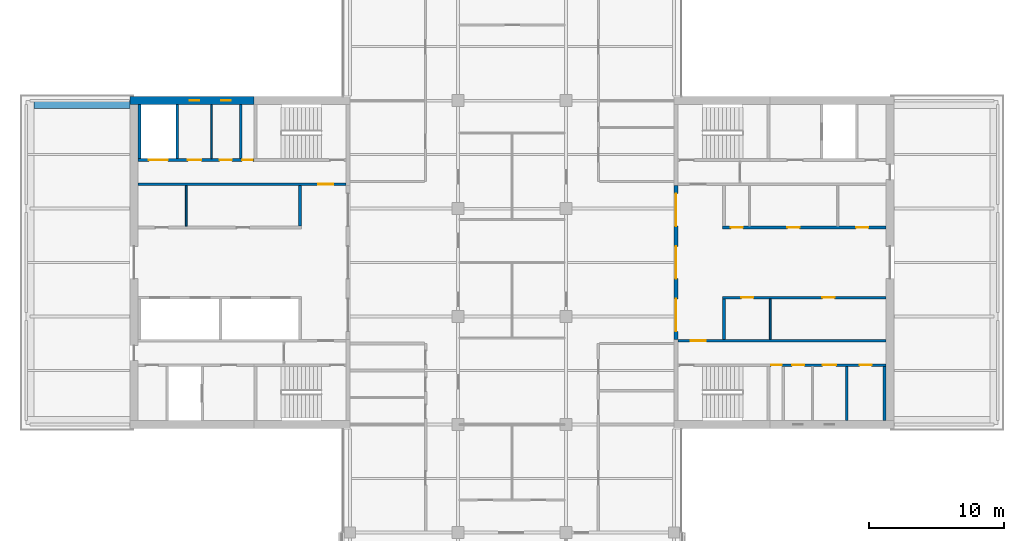
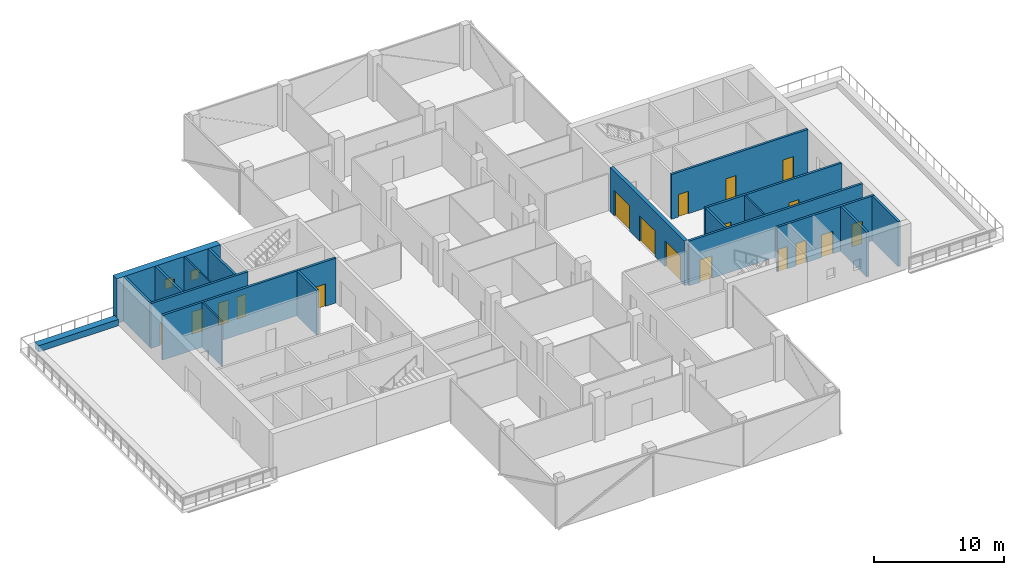
# One storey, part 13 of 18: 19 walls, 18 doors, 2 windows, 20 openings.
"""IFC4 building model written with IfcOpenShell, lengths in metres."""

from ifc_helpers import new_model, si_unit, direction, frame, frame_2d, origin, place, context, subcontext, project, spatial, rectangle, extrude, material, layer, layer_set, constituent, constituent_set, type_object, element, fill, save


model = new_model("IFC4")

# Units and contexts
model_context = context("Model", 3, precision=1e-05, world=origin(), true_north=direction((0.0, 1.0)))
body_context = subcontext(model_context, "Body", "Model", "MODEL_VIEW")
ifc_project = project(units=[si_unit("LENGTHUNIT", "METRE"), si_unit("AREAUNIT", "SQUARE_METRE"), si_unit("VOLUMEUNIT", "CUBIC_METRE"), si_unit("PLANEANGLEUNIT", "RADIAN"), si_unit("MASSUNIT", "GRAM", prefix="KILO")], contexts=[model_context])

# Site, building, storey
site_placement = place(None, origin())
site = spatial("IfcSite", under=ifc_project, at=site_placement, CompositionType="ELEMENT")
building_placement = place(site_placement, origin())
building = spatial("IfcBuilding", under=site, at=building_placement, Name="Crosswind Convention Tower", CompositionType="ELEMENT")
storey_placement = place(building_placement, frame((0.0, 0.0, 178.89990234375)))
storey = spatial("IfcBuildingStorey", under=building, at=storey_placement, Name="L37", CompositionType="ELEMENT", Elevation=178.89990234375)

# Wall
ifc_material_1 = material(Name="Concrete blockwork", Category="masonry")
ifc_layer_1 = layer(ifc_material_1, 0.199951171875)
ifc_layer_set_1 = layer_set([ifc_layer_1], Name="Blockwork partition wall 200")
wall_type_1 = type_object("IfcWallType", Name="Blockwork partition wall 200", PredefinedType="PARTITIONING", material=ifc_layer_set_1)
wall_1_placement = place(storey_placement, frame((104.89990234375, 111.699951171875, 0.0), z_axis=(0.0, 0.0, 1.0), x_axis=(0.0, -1.0, 0.0)))
element("IfcWall", 1, at=wall_1_placement, inside=storey, type_object=wall_type_1, Name="Wall MRSE W L37", PredefinedType="PARTITIONING", context=body_context, shape_type="SweptSolid", body=[
    extrude(rectangle(XDim=4.0, YDim=0.199951171875, at=frame_2d((2.0, 0.0))), origin(), (0.0, 0.0, 1.0), 4.2001953125),
])

# Wall, openings, doors
ifc_material_2 = material(Name="Concrete C50/60", Category="concrete")
ifc_layer_2 = layer(ifc_material_2, 0.300048828125)
ifc_layer_set_2 = layer_set([ifc_layer_2], Name="Concrete C50/60")
wall_type_2 = type_object("IfcWallType", Name="Concrete inner core wall 300", PredefinedType="SHEAR", material=ifc_layer_set_2)
wall_2_placement = place(storey_placement, frame((137.14990234375, 94.300048828125, 0.0), z_axis=(0.0, 0.0, 1.0), x_axis=(0.0, 1.0, 0.0)))
wall_2 = element("IfcWall", 2, at=wall_2_placement, inside=storey, type_object=wall_type_2, Name="Wall SCR E L37", PredefinedType="SHEAR", context=body_context, shape_type="SweptSolid", body=[
    extrude(rectangle(XDim=11.39990234375, YDim=0.300048828125, at=frame_2d((5.699951171875, 0.0))), origin(), (0.0, 0.0, 1.0), 4.2001953125),
])
opening_1_placement = place(wall_2_placement, frame((0.60009765625, 0.0, 0.0)))
opening_1 = element("IfcOpeningElement", 3, at=opening_1_placement, cuts=wall_2, Name="Opening D100", PredefinedType="OPENING", context=body_context, shape_type="SweptSolid", body=[
    extrude(rectangle(XDim=2.39990234375, YDim=2.39990234375, at=frame_2d((1.199951171875, 1.199951171875))), frame((0.0, 0.159912109375, 0.0), z_axis=(0.0, -1.0, 0.0), x_axis=(1.0, 0.0, 0.0)), (0.0, 0.0, 1.0), 0.320068359375),
])
opening_2_placement = place(wall_2_placement, frame((4.5, 0.0, 0.0)))
opening_2 = element("IfcOpeningElement", 4, at=opening_2_placement, cuts=wall_2, Name="Opening D100", PredefinedType="OPENING", context=body_context, shape_type="SweptSolid", body=[
    extrude(rectangle(XDim=2.39990234375, YDim=2.39990234375, at=frame_2d((1.199951171875, 1.199951171875))), frame((0.0, 0.159912109375, 0.0), z_axis=(0.0, -1.0, 0.0), x_axis=(1.0, 0.0, 0.0)), (0.0, 0.0, 1.0), 0.320068359375),
])
opening_3_placement = place(wall_2_placement, frame((8.39990234375, 0.0, 0.0)))
opening_3 = element("IfcOpeningElement", 5, at=opening_3_placement, cuts=wall_2, Name="Opening D100", PredefinedType="OPENING", context=body_context, shape_type="SweptSolid", body=[
    extrude(rectangle(XDim=2.39990234375, YDim=2.39990234375, at=frame_2d((1.199951171875, 1.199951171875))), frame((0.0, 0.159912109375, 0.0), z_axis=(0.0, -1.0, 0.0), x_axis=(1.0, 0.0, 0.0)), (0.0, 0.0, 1.0), 0.320068359375),
])
ifc_material_3 = material(Name="Steel fire door with glazed vision panels", Category="steel")
door_type_1 = type_object("IfcDoorType", Name="Fire-rated double door 2400x2400", OperationType="DOUBLE_DOOR_SINGLE_SWING", PredefinedType="DOOR", material=ifc_material_3)
door_1_placement = place(opening_1_placement, origin())
door_1 = element("IfcDoor", 6, at=door_1_placement, inside=storey, type_object=door_type_1, Name="Lobby door 1 L37", ObjectType="D100", OperationType="DOUBLE_DOOR_SINGLE_SWING", OverallHeight=2.39990234375, OverallWidth=2.39990234375, PredefinedType="DOOR", context=body_context, shape_type="SweptSolid", body=[
    extrude(rectangle(XDim=2.39990234375, YDim=2.39990234375, at=frame_2d((1.199951171875, 1.199951171875))), frame((0.0, 0.02490234375, 0.0), z_axis=(0.0, -1.0, 0.0), x_axis=(1.0, 0.0, 0.0)), (0.0, 0.0, 1.0), 0.050048828125),
])
fill(opening_1, door_1)
door_2_placement = place(opening_2_placement, origin())
door_2 = element("IfcDoor", 7, at=door_2_placement, inside=storey, type_object=door_type_1, Name="Lobby door 2 L37", ObjectType="D100", OperationType="DOUBLE_DOOR_SINGLE_SWING", OverallHeight=2.39990234375, OverallWidth=2.39990234375, PredefinedType="DOOR", context=body_context, shape_type="SweptSolid", body=[
    extrude(rectangle(XDim=2.39990234375, YDim=2.39990234375, at=frame_2d((1.199951171875, 1.199951171875))), frame((0.0, 0.02490234375, 0.0), z_axis=(0.0, -1.0, 0.0), x_axis=(1.0, 0.0, 0.0)), (0.0, 0.0, 1.0), 0.050048828125),
])
fill(opening_2, door_2)
door_3_placement = place(opening_3_placement, origin())
door_3 = element("IfcDoor", 8, at=door_3_placement, inside=storey, type_object=door_type_1, Name="Lobby door 3 L37", ObjectType="D100", OperationType="DOUBLE_DOOR_SINGLE_SWING", OverallHeight=2.39990234375, OverallWidth=2.39990234375, PredefinedType="DOOR", context=body_context, shape_type="SweptSolid", body=[
    extrude(rectangle(XDim=2.39990234375, YDim=2.39990234375, at=frame_2d((1.199951171875, 1.199951171875))), frame((0.0, 0.02490234375, 0.0), z_axis=(0.0, -1.0, 0.0), x_axis=(1.0, 0.0, 0.0)), (0.0, 0.0, 1.0), 0.050048828125),
])
fill(opening_3, door_3)

ifc_layer_3 = layer(ifc_material_2, 0.199951171875)
ifc_layer_set_3 = layer_set([ifc_layer_3], Name="Concrete C50/60")
wall_type_3 = type_object("IfcWallType", Name="Concrete shaft and stair wall 200", PredefinedType="SHEAR", material=ifc_layer_set_3)
wall_3_placement = place(storey_placement, frame((140.60009765625, 102.60009765625, 0.0), z_axis=(0.0, 0.0, 1.0), x_axis=(1.0, 0.0, 0.0)))
wall_3 = element("IfcWall", 9, at=wall_3_placement, inside=storey, type_object=wall_type_3, Name="Wall RPFRONT E L37", PredefinedType="SHEAR", context=body_context, shape_type="SweptSolid", body=[
    extrude(rectangle(XDim=12.099853515625, YDim=0.199951171875, at=frame_2d((6.0498046875, 0.0))), origin(), (0.0, 0.0, 1.0), 4.2001953125),
])
opening_4_placement = place(wall_3_placement, frame((0.611328125, 0.0, 0.0)))
opening_4 = element("IfcOpeningElement", 10, at=opening_4_placement, cuts=wall_3, Name="Opening D106", PredefinedType="OPENING", context=body_context, shape_type="SweptSolid", body=[
    extrude(rectangle(XDim=0.89990234375, YDim=2.10009765625, at=frame_2d((0.449951171875, 1.050048828125))), frame((0.0, 0.10986328125, 0.0), z_axis=(0.0, -1.0, 0.0), x_axis=(1.0, 0.0, 0.0)), (0.0, 0.0, 1.0), 0.219970703125),
])
opening_5_placement = place(wall_3_placement, frame((4.8076171875, 0.0, 0.0)))
opening_5 = element("IfcOpeningElement", 11, at=opening_5_placement, cuts=wall_3, Name="Opening D106", PredefinedType="OPENING", context=body_context, shape_type="SweptSolid", body=[
    extrude(rectangle(XDim=0.89990234375, YDim=2.10009765625, at=frame_2d((0.449951171875, 1.050048828125))), frame((0.0, 0.10986328125, 0.0), z_axis=(0.0, -1.0, 0.0), x_axis=(1.0, 0.0, 0.0)), (0.0, 0.0, 1.0), 0.219970703125),
])
opening_6_placement = place(wall_3_placement, frame((9.896240234375, 0.0, 0.0)))
opening_6 = element("IfcOpeningElement", 12, at=opening_6_placement, cuts=wall_3, Name="Opening D106", PredefinedType="OPENING", context=body_context, shape_type="SweptSolid", body=[
    extrude(rectangle(XDim=0.89990234375, YDim=2.10009765625, at=frame_2d((0.449951171875, 1.050048828125))), frame((0.0, 0.10986328125, 0.0), z_axis=(0.0, -1.0, 0.0), x_axis=(1.0, 0.0, 0.0)), (0.0, 0.0, 1.0), 0.219970703125),
])
ifc_material_4 = material(Name="Timber door", Category="wood")
door_type_2 = type_object("IfcDoorType", Name="Single leaf door 900x2100", OperationType="NOTDEFINED", PredefinedType="DOOR", material=ifc_material_4)
door_4_placement = place(opening_4_placement, origin())
door_4 = element("IfcDoor", 13, at=door_4_placement, inside=storey, type_object=door_type_2, Name="Door to tenant services room L37", ObjectType="D106", OperationType="SINGLE_SWING_RIGHT", OverallHeight=2.10009765625, OverallWidth=0.89990234375, PredefinedType="DOOR", context=body_context, shape_type="SweptSolid", body=[
    extrude(rectangle(XDim=0.89990234375, YDim=2.10009765625, at=frame_2d((0.449951171875, 1.050048828125))), frame((0.0, 0.02490234375, 0.0), z_axis=(0.0, -1.0, 0.0), x_axis=(1.0, 0.0, 0.0)), (0.0, 0.0, 1.0), 0.050048828125),
])
fill(opening_4, door_4)
door_5_placement = place(opening_5_placement, origin())
door_5 = element("IfcDoor", 14, at=door_5_placement, inside=storey, type_object=door_type_2, Name="Door to copy and print room L37", ObjectType="D106", OperationType="SINGLE_SWING_RIGHT", OverallHeight=2.10009765625, OverallWidth=0.89990234375, PredefinedType="DOOR", context=body_context, shape_type="SweptSolid", body=[
    extrude(rectangle(XDim=0.89990234375, YDim=2.10009765625, at=frame_2d((0.449951171875, 1.050048828125))), frame((0.0, 0.02490234375, 0.0), z_axis=(0.0, -1.0, 0.0), x_axis=(1.0, 0.0, 0.0)), (0.0, 0.0, 1.0), 0.050048828125),
])
fill(opening_5, door_5)
door_6_placement = place(opening_6_placement, origin())
door_6 = element("IfcDoor", 15, at=door_6_placement, inside=storey, type_object=door_type_2, Name="Door to meeting room L37", ObjectType="D106", OperationType="SINGLE_SWING_RIGHT", OverallHeight=2.10009765625, OverallWidth=0.89990234375, PredefinedType="DOOR", context=body_context, shape_type="SweptSolid", body=[
    extrude(rectangle(XDim=0.89990234375, YDim=2.10009765625, at=frame_2d((0.449951171875, 1.050048828125))), frame((0.0, 0.02490234375, 0.0), z_axis=(0.0, -1.0, 0.0), x_axis=(1.0, 0.0, 0.0)), (0.0, 0.0, 1.0), 0.050048828125),
])
fill(opening_6, door_6)

# Wall
wall_4_placement = place(storey_placement, frame((140.699951171875, 94.300048828125, 0.0), z_axis=(0.0, 0.0, 1.0), x_axis=(0.0, 1.0, 0.0)))
element("IfcWall", 16, at=wall_4_placement, inside=storey, type_object=wall_type_3, Name="Wall RMEND E L37", PredefinedType="SHEAR", context=body_context, shape_type="SweptSolid", body=[
    extrude(rectangle(XDim=3.0, YDim=0.199951171875, at=frame_2d((1.5, 0.0))), origin(), (0.0, 0.0, 1.0), 4.2001953125),
])

# Wall, openings, doors
wall_5_placement = place(storey_placement, frame((140.60009765625, 97.39990234375, 0.0), z_axis=(0.0, 0.0, 1.0), x_axis=(1.0, 0.0, 0.0)))
wall_5 = element("IfcWall", 17, at=wall_5_placement, inside=storey, type_object=wall_type_3, Name="Wall RMFRONT E L37", PredefinedType="SHEAR", context=body_context, shape_type="SweptSolid", body=[
    extrude(rectangle(XDim=12.099853515625, YDim=0.199951171875, at=frame_2d((6.0498046875, 0.0))), origin(), (0.0, 0.0, 1.0), 4.2001953125),
])
opening_7_placement = place(wall_5_placement, frame((1.384765625, 0.0, 0.0)))
opening_7 = element("IfcOpeningElement", 18, at=opening_7_placement, cuts=wall_5, Name="Opening D106", PredefinedType="OPENING", context=body_context, shape_type="SweptSolid", body=[
    extrude(rectangle(XDim=0.89990234375, YDim=2.10009765625, at=frame_2d((0.449951171875, 1.050048828125))), frame((0.0, 0.10986328125, 0.0), z_axis=(0.0, -1.0, 0.0), x_axis=(1.0, 0.0, 0.0)), (0.0, 0.0, 1.0), 0.219970703125),
])
opening_8_placement = place(wall_5_placement, frame((7.397216796875, 0.0, 0.0)))
opening_8 = element("IfcOpeningElement", 19, at=opening_8_placement, cuts=wall_5, Name="Opening D106", PredefinedType="OPENING", context=body_context, shape_type="SweptSolid", body=[
    extrude(rectangle(XDim=0.89990234375, YDim=2.10009765625, at=frame_2d((0.449951171875, 1.050048828125))), frame((0.0, 0.10986328125, 0.0), z_axis=(0.0, -1.0, 0.0), x_axis=(1.0, 0.0, 0.0)), (0.0, 0.0, 1.0), 0.219970703125),
])
door_7_placement = place(opening_7_placement, frame((0.89990234375, 0.0, 0.0), z_axis=(0.0, 0.0, 1.0), x_axis=(-1.0, 0.0, 0.0)))
door_7 = element("IfcDoor", 20, at=door_7_placement, inside=storey, type_object=door_type_2, Name="Door to copy and print room L37", ObjectType="D106", OperationType="SINGLE_SWING_LEFT", OverallHeight=2.10009765625, OverallWidth=0.89990234375, PredefinedType="DOOR", context=body_context, shape_type="SweptSolid", body=[
    extrude(rectangle(XDim=0.89990234375, YDim=2.10009765625, at=frame_2d((0.449951171875, 1.050048828125))), frame((0.0, 0.02490234375, 0.0), z_axis=(0.0, -1.0, 0.0), x_axis=(1.0, 0.0, 0.0)), (0.0, 0.0, 1.0), 0.050048828125),
])
fill(opening_7, door_7)
door_8_placement = place(opening_8_placement, frame((0.89990234375, 0.0, 0.0), z_axis=(0.0, 0.0, 1.0), x_axis=(-1.0, 0.0, 0.0)))
door_8 = element("IfcDoor", 21, at=door_8_placement, inside=storey, type_object=door_type_2, Name="Door to meeting room L37", ObjectType="D106", OperationType="SINGLE_SWING_LEFT", OverallHeight=2.10009765625, OverallWidth=0.89990234375, PredefinedType="DOOR", context=body_context, shape_type="SweptSolid", body=[
    extrude(rectangle(XDim=0.89990234375, YDim=2.10009765625, at=frame_2d((0.449951171875, 1.050048828125))), frame((0.0, 0.02490234375, 0.0), z_axis=(0.0, -1.0, 0.0), x_axis=(1.0, 0.0, 0.0)), (0.0, 0.0, 1.0), 0.050048828125),
])
fill(opening_8, door_8)

# Wall, opening, door
wall_6_placement = place(storey_placement, frame((137.300048828125, 94.199951171875, 0.0), z_axis=(0.0, 0.0, 1.0), x_axis=(1.0, 0.0, 0.0)))
wall_6 = element("IfcWall", 22, at=wall_6_placement, inside=storey, type_object=wall_type_3, Name="Wall HM E L37", PredefinedType="SHEAR", context=body_context, shape_type="SweptSolid", body=[
    extrude(rectangle(XDim=15.39990234375, YDim=0.199951171875, at=frame_2d((7.699951171875, 0.0))), origin(), (0.0, 0.0, 1.0), 4.2001953125),
])
opening_9_placement = place(wall_6_placement, frame((0.949951171875, 0.0, 0.0)))
opening_9 = element("IfcOpeningElement", 23, at=opening_9_placement, cuts=wall_6, Name="Opening D104", PredefinedType="OPENING", context=body_context, shape_type="SweptSolid", body=[
    extrude(rectangle(XDim=1.10009765625, YDim=2.10009765625, at=frame_2d((0.550048828125, 1.050048828125))), frame((0.0, 0.10986328125, 0.0), z_axis=(0.0, -1.0, 0.0), x_axis=(1.0, 0.0, 0.0)), (0.0, 0.0, 1.0), 0.219970703125),
])
ifc_material_5 = material(Name="Steel fire door", Category="steel")
door_type_3 = type_object("IfcDoorType", Name="Fire-rated single door 1100x2100", OperationType="NOTDEFINED", PredefinedType="DOOR", material=ifc_material_5)
door_9_placement = place(opening_9_placement, origin())
door_9 = element("IfcDoor", 24, at=door_9_placement, inside=storey, type_object=door_type_3, Name="Corridor door L37", ObjectType="D104", OperationType="SINGLE_SWING_LEFT", OverallHeight=2.10009765625, OverallWidth=1.10009765625, PredefinedType="DOOR", context=body_context, shape_type="SweptSolid", body=[
    extrude(rectangle(XDim=1.10009765625, YDim=2.10009765625, at=frame_2d((0.550048828125, 1.050048828125))), frame((0.0, 0.02490234375, 0.0), z_axis=(0.0, -1.0, 0.0), x_axis=(1.0, 0.0, 0.0)), (0.0, 0.0, 1.0), 0.050048828125),
])
fill(opening_9, door_9)

# Walls
for number, where, z_axis, x_axis, name in (
    (25, (149.800048828125, 88.300048828125, 0.0), (0.0, 0.0, 1.0), (0.0, 1.0, 0.0), "Wall MFSW E L37"),
    (26, (152.60009765625, 88.300048828125, 0.0), (0.0, 0.0, 1.0), (0.0, 1.0, 0.0), "Wall MFSE E L37"),
):
    element("IfcWall", number, at=place(storey_placement, frame(where, z_axis=z_axis, x_axis=x_axis)), inside=storey, type_object=wall_type_3, Name=name, PredefinedType="SHEAR", context=body_context, shape_type="SweptSolid", body=[
        extrude(rectangle(XDim=4.0, YDim=0.199951171875, at=frame_2d((2.0, 0.0))), origin(), (0.0, 0.0, 1.0), 4.2001953125),
    ])

# Wall, openings, doors
wall_7_placement = place(storey_placement, frame((144.10009765625, 92.39990234375, 0.0), z_axis=(0.0, 0.0, 1.0), x_axis=(1.0, 0.0, 0.0)))
wall_7 = element("IfcWall", 27, at=wall_7_placement, inside=storey, type_object=wall_type_3, Name="Wall MCX E L37", PredefinedType="SHEAR", context=body_context, shape_type="SweptSolid", body=[
    extrude(rectangle(XDim=8.599853515625, YDim=0.199951171875, at=frame_2d((4.2998046875, 0.0))), origin(), (0.0, 0.0, 1.0), 4.2001953125),
])
opening_10_placement = place(wall_7_placement, frame((0.10009765625, 0.0, 0.0)))
opening_10 = element("IfcOpeningElement", 28, at=opening_10_placement, cuts=wall_7, Name="Opening D105", PredefinedType="OPENING", context=body_context, shape_type="SweptSolid", body=[
    extrude(rectangle(XDim=0.800048828125, YDim=2.10009765625, at=frame_2d((0.39990234375, 1.050048828125))), frame((0.0, 0.10986328125, 0.0), z_axis=(0.0, -1.0, 0.0), x_axis=(1.0, 0.0, 0.0)), (0.0, 0.0, 1.0), 0.219970703125),
])
opening_11_placement = place(wall_7_placement, frame((1.65380859375, 0.0, 0.0)))
opening_11 = element("IfcOpeningElement", 29, at=opening_11_placement, cuts=wall_7, Name="Opening D106", PredefinedType="OPENING", context=body_context, shape_type="SweptSolid", body=[
    extrude(rectangle(XDim=0.89990234375, YDim=2.10009765625, at=frame_2d((0.449951171875, 1.050048828125))), frame((0.0, 0.10986328125, 0.0), z_axis=(0.0, -1.0, 0.0), x_axis=(1.0, 0.0, 0.0)), (0.0, 0.0, 1.0), 0.219970703125),
])
opening_12_placement = place(wall_7_placement, frame((3.916259765625, 0.0, 0.0)))
opening_12 = element("IfcOpeningElement", 30, at=opening_12_placement, cuts=wall_7, Name="Opening D103", PredefinedType="OPENING", context=body_context, shape_type="SweptSolid", body=[
    extrude(rectangle(XDim=1.0, YDim=2.10009765625, at=frame_2d((0.5, 1.050048828125))), frame((0.0, 0.10986328125, 0.0), z_axis=(0.0, -1.0, 0.0), x_axis=(1.0, 0.0, 0.0)), (0.0, 0.0, 1.0), 0.219970703125),
])
opening_13_placement = place(wall_7_placement, frame((6.64990234375, 0.0, 0.0)))
opening_13 = element("IfcOpeningElement", 31, at=opening_13_placement, cuts=wall_7, Name="Opening D106", PredefinedType="OPENING", context=body_context, shape_type="SweptSolid", body=[
    extrude(rectangle(XDim=0.89990234375, YDim=2.10009765625, at=frame_2d((0.449951171875, 1.050048828125))), frame((0.0, 0.10986328125, 0.0), z_axis=(0.0, -1.0, 0.0), x_axis=(1.0, 0.0, 0.0)), (0.0, 0.0, 1.0), 0.219970703125),
])
door_type_4 = type_object("IfcDoorType", Name="Fire-rated single door 1000x2100", OperationType="NOTDEFINED", PredefinedType="DOOR", material=ifc_material_5)
door_10_placement = place(opening_12_placement, frame((1.0, 0.0, 0.0), z_axis=(0.0, 0.0, 1.0), x_axis=(-1.0, 0.0, 0.0)))
door_10 = element("IfcDoor", 32, at=door_10_placement, inside=storey, type_object=door_type_4, Name="Door to accessible wc L37", ObjectType="D103", OperationType="SINGLE_SWING_LEFT", OverallHeight=2.10009765625, OverallWidth=1.0, PredefinedType="DOOR", context=body_context, shape_type="SweptSolid", body=[
    extrude(rectangle(XDim=1.0, YDim=2.10009765625, at=frame_2d((0.5, 1.050048828125))), frame((0.0, 0.02490234375, 0.0), z_axis=(0.0, -1.0, 0.0), x_axis=(1.0, 0.0, 0.0)), (0.0, 0.0, 1.0), 0.050048828125),
])
fill(opening_12, door_10)
door_type_5 = type_object("IfcDoorType", Name="Riser access door 800x2100", OperationType="NOTDEFINED", PredefinedType="DOOR", material=ifc_material_5)
door_11_placement = place(opening_10_placement, frame((0.800048828125, 0.0, 0.0), z_axis=(0.0, 0.0, 1.0), x_axis=(-1.0, 0.0, 0.0)))
door_11 = element("IfcDoor", 33, at=door_11_placement, inside=storey, type_object=door_type_5, Name="Riser door L37", ObjectType="D105", OperationType="SINGLE_SWING_LEFT", OverallHeight=2.10009765625, OverallWidth=0.800048828125, PredefinedType="DOOR", context=body_context, shape_type="SweptSolid", body=[
    extrude(rectangle(XDim=0.800048828125, YDim=2.10009765625, at=frame_2d((0.39990234375, 1.050048828125))), frame((0.0, 0.02490234375, 0.0), z_axis=(0.0, -1.0, 0.0), x_axis=(1.0, 0.0, 0.0)), (0.0, 0.0, 1.0), 0.050048828125),
])
fill(opening_10, door_11)
door_12_placement = place(opening_11_placement, frame((0.89990234375, 0.0, 0.0), z_axis=(0.0, 0.0, 1.0), x_axis=(-1.0, 0.0, 0.0)))
door_12 = element("IfcDoor", 34, at=door_12_placement, inside=storey, type_object=door_type_2, Name="Door to wc L37", ObjectType="D106", OperationType="SINGLE_SWING_LEFT", OverallHeight=2.10009765625, OverallWidth=0.89990234375, PredefinedType="DOOR", context=body_context, shape_type="SweptSolid", body=[
    extrude(rectangle(XDim=0.89990234375, YDim=2.10009765625, at=frame_2d((0.449951171875, 1.050048828125))), frame((0.0, 0.02490234375, 0.0), z_axis=(0.0, -1.0, 0.0), x_axis=(1.0, 0.0, 0.0)), (0.0, 0.0, 1.0), 0.050048828125),
])
fill(opening_11, door_12)
door_13_placement = place(opening_13_placement, frame((0.89990234375, 0.0, 0.0), z_axis=(0.0, 0.0, 1.0), x_axis=(-1.0, 0.0, 0.0)))
door_13 = element("IfcDoor", 35, at=door_13_placement, inside=storey, type_object=door_type_2, Name="Door to accessible wc L37", ObjectType="D106", OperationType="SINGLE_SWING_LEFT", OverallHeight=2.10009765625, OverallWidth=0.89990234375, PredefinedType="DOOR", context=body_context, shape_type="SweptSolid", body=[
    extrude(rectangle(XDim=0.89990234375, YDim=2.10009765625, at=frame_2d((0.449951171875, 1.050048828125))), frame((0.0, 0.02490234375, 0.0), z_axis=(0.0, -1.0, 0.0), x_axis=(1.0, 0.0, 0.0)), (0.0, 0.0, 1.0), 0.050048828125),
])
fill(opening_13, door_13)

# Wall
wall_8_placement = place(storey_placement, frame((109.300048828125, 105.699951171875, 0.0), z_axis=(0.0, 0.0, 1.0), x_axis=(0.0, -1.0, 0.0)))
element("IfcWall", 36, at=wall_8_placement, inside=storey, type_object=wall_type_3, Name="Wall RMEND W L37", PredefinedType="SHEAR", context=body_context, shape_type="SweptSolid", body=[
    extrude(rectangle(XDim=3.0, YDim=0.199951171875, at=frame_2d((1.5, 0.0))), origin(), (0.0, 0.0, 1.0), 4.2001953125),
])

# Wall, opening, door
wall_9_placement = place(storey_placement, frame((112.699951171875, 105.800048828125, 0.0), z_axis=(0.0, 0.0, 1.0), x_axis=(-1.0, 0.0, 0.0)))
wall_9 = element("IfcWall", 37, at=wall_9_placement, inside=storey, type_object=wall_type_3, Name="Wall HM W L37", PredefinedType="SHEAR", context=body_context, shape_type="SweptSolid", body=[
    extrude(rectangle(XDim=15.39990234375, YDim=0.199951171875, at=frame_2d((7.699951171875, 0.0))), origin(), (0.0, 0.0, 1.0), 4.2001953125),
])
opening_14_placement = place(wall_9_placement, frame((0.949951171875, 0.0, 0.0)))
opening_14 = element("IfcOpeningElement", 38, at=opening_14_placement, cuts=wall_9, Name="Opening D104", PredefinedType="OPENING", context=body_context, shape_type="SweptSolid", body=[
    extrude(rectangle(XDim=1.10009765625, YDim=2.10009765625, at=frame_2d((0.550048828125, 1.050048828125))), frame((0.0, 0.10986328125, 0.0), z_axis=(0.0, -1.0, 0.0), x_axis=(1.0, 0.0, 0.0)), (0.0, 0.0, 1.0), 0.219970703125),
])
door_14_placement = place(opening_14_placement, origin())
door_14 = element("IfcDoor", 39, at=door_14_placement, inside=storey, type_object=door_type_3, Name="Corridor door L37", ObjectType="D104", OperationType="SINGLE_SWING_LEFT", OverallHeight=2.10009765625, OverallWidth=1.10009765625, PredefinedType="DOOR", context=body_context, shape_type="SweptSolid", body=[
    extrude(rectangle(XDim=1.10009765625, YDim=2.10009765625, at=frame_2d((0.550048828125, 1.050048828125))), frame((0.0, 0.02490234375, 0.0), z_axis=(0.0, -1.0, 0.0), x_axis=(1.0, 0.0, 0.0)), (0.0, 0.0, 1.0), 0.050048828125),
])
fill(opening_14, door_14)

# Walls
for number, where, z_axis, x_axis, name in (
    (40, (100.199951171875, 111.699951171875, 0.0), (0.0, 0.0, 1.0), (0.0, -1.0, 0.0), "Wall MFSW W L37"),
    (41, (97.39990234375, 111.699951171875, 0.0), (0.0, 0.0, 1.0), (0.0, -1.0, 0.0), "Wall MFSE W L37"),
):
    element("IfcWall", number, at=place(storey_placement, frame(where, z_axis=z_axis, x_axis=x_axis)), inside=storey, type_object=wall_type_3, Name=name, PredefinedType="SHEAR", context=body_context, shape_type="SweptSolid", body=[
        extrude(rectangle(XDim=4.0, YDim=0.199951171875, at=frame_2d((2.0, 0.0))), origin(), (0.0, 0.0, 1.0), 4.2001953125),
    ])

# Wall, openings, doors
wall_10_placement = place(storey_placement, frame((105.89990234375, 107.60009765625, 0.0), z_axis=(0.0, 0.0, 1.0), x_axis=(-1.0, 0.0, 0.0)))
wall_10 = element("IfcWall", 42, at=wall_10_placement, inside=storey, type_object=wall_type_3, Name="Wall MCX W L37", PredefinedType="SHEAR", context=body_context, shape_type="SweptSolid", body=[
    extrude(rectangle(XDim=8.599853515625, YDim=0.199951171875, at=frame_2d((4.2998046875, 0.0))), origin(), (0.0, 0.0, 1.0), 4.2001953125),
])
opening_15_placement = place(wall_10_placement, frame((0.10009765625, 0.0, 0.0)))
opening_15 = element("IfcOpeningElement", 43, at=opening_15_placement, cuts=wall_10, Name="Opening D105", PredefinedType="OPENING", context=body_context, shape_type="SweptSolid", body=[
    extrude(rectangle(XDim=0.800048828125, YDim=2.10009765625, at=frame_2d((0.39990234375, 1.050048828125))), frame((0.0, 0.10986328125, 0.0), z_axis=(0.0, -1.0, 0.0), x_axis=(1.0, 0.0, 0.0)), (0.0, 0.0, 1.0), 0.219970703125),
])
opening_16_placement = place(wall_10_placement, frame((1.65380859375, 0.0, 0.0)))
opening_16 = element("IfcOpeningElement", 44, at=opening_16_placement, cuts=wall_10, Name="Opening D106", PredefinedType="OPENING", context=body_context, shape_type="SweptSolid", body=[
    extrude(rectangle(XDim=0.89990234375, YDim=2.10009765625, at=frame_2d((0.449951171875, 1.050048828125))), frame((0.0, 0.10986328125, 0.0), z_axis=(0.0, -1.0, 0.0), x_axis=(1.0, 0.0, 0.0)), (0.0, 0.0, 1.0), 0.219970703125),
])
opening_17_placement = place(wall_10_placement, frame((3.916259765625, 0.0, 0.0)))
opening_17 = element("IfcOpeningElement", 45, at=opening_17_placement, cuts=wall_10, Name="Opening D103", PredefinedType="OPENING", context=body_context, shape_type="SweptSolid", body=[
    extrude(rectangle(XDim=1.0, YDim=2.10009765625, at=frame_2d((0.5, 1.050048828125))), frame((0.0, 0.10986328125, 0.0), z_axis=(0.0, -1.0, 0.0), x_axis=(1.0, 0.0, 0.0)), (0.0, 0.0, 1.0), 0.219970703125),
])
opening_18_placement = place(wall_10_placement, frame((6.39990234375, 0.0, 0.0)))
opening_18 = element("IfcOpeningElement", 46, at=opening_18_placement, cuts=wall_10, Name="Opening LD2", PredefinedType="OPENING", context=body_context, shape_type="SweptSolid", body=[
    extrude(rectangle(XDim=1.39990234375, YDim=2.10009765625, at=frame_2d((0.699951171875, 1.050048828125))), frame((0.0, 0.10986328125, 0.0), z_axis=(0.0, -1.0, 0.0), x_axis=(1.0, 0.0, 0.0)), (0.0, 0.0, 1.0), 0.219970703125),
])
door_15_placement = place(opening_17_placement, frame((1.0, 0.0, 0.0), z_axis=(0.0, 0.0, 1.0), x_axis=(-1.0, 0.0, 0.0)))
door_15 = element("IfcDoor", 47, at=door_15_placement, inside=storey, type_object=door_type_4, Name="Door to accessible wc L37", ObjectType="D103", OperationType="SINGLE_SWING_LEFT", OverallHeight=2.10009765625, OverallWidth=1.0, PredefinedType="DOOR", context=body_context, shape_type="SweptSolid", body=[
    extrude(rectangle(XDim=1.0, YDim=2.10009765625, at=frame_2d((0.5, 1.050048828125))), frame((0.0, 0.02490234375, 0.0), z_axis=(0.0, -1.0, 0.0), x_axis=(1.0, 0.0, 0.0)), (0.0, 0.0, 1.0), 0.050048828125),
])
fill(opening_17, door_15)
ifc_material_6 = material(Name="Stainless steel", Category="steel")
door_type_6 = type_object("IfcDoorType", Name="Lift landing door 1400x2100", OperationType="DOUBLE_DOOR_SLIDING", PredefinedType="DOOR", material=ifc_material_6)
door_16_placement = place(opening_18_placement, origin())
door_16 = element("IfcDoor", 48, at=door_16_placement, inside=storey, type_object=door_type_6, Name="Landing door SV2 L37", ObjectType="LD2", OperationType="DOUBLE_DOOR_SLIDING", OverallHeight=2.10009765625, OverallWidth=1.39990234375, PredefinedType="DOOR", context=body_context, shape_type="SweptSolid", body=[
    extrude(rectangle(XDim=1.39990234375, YDim=2.10009765625, at=frame_2d((0.699951171875, 1.050048828125))), frame((0.0, 0.02490234375, 0.0), z_axis=(0.0, -1.0, 0.0), x_axis=(1.0, 0.0, 0.0)), (0.0, 0.0, 1.0), 0.050048828125),
])
fill(opening_18, door_16)
door_17_placement = place(opening_15_placement, frame((0.800048828125, 0.0, 0.0), z_axis=(0.0, 0.0, 1.0), x_axis=(-1.0, 0.0, 0.0)))
door_17 = element("IfcDoor", 49, at=door_17_placement, inside=storey, type_object=door_type_5, Name="Riser door L37", ObjectType="D105", OperationType="SINGLE_SWING_LEFT", OverallHeight=2.10009765625, OverallWidth=0.800048828125, PredefinedType="DOOR", context=body_context, shape_type="SweptSolid", body=[
    extrude(rectangle(XDim=0.800048828125, YDim=2.10009765625, at=frame_2d((0.39990234375, 1.050048828125))), frame((0.0, 0.02490234375, 0.0), z_axis=(0.0, -1.0, 0.0), x_axis=(1.0, 0.0, 0.0)), (0.0, 0.0, 1.0), 0.050048828125),
])
fill(opening_15, door_17)
door_18_placement = place(opening_16_placement, frame((0.89990234375, 0.0, 0.0), z_axis=(0.0, 0.0, 1.0), x_axis=(-1.0, 0.0, 0.0)))
door_18 = element("IfcDoor", 50, at=door_18_placement, inside=storey, type_object=door_type_2, Name="Door to wc L37", ObjectType="D106", OperationType="SINGLE_SWING_LEFT", OverallHeight=2.10009765625, OverallWidth=0.89990234375, PredefinedType="DOOR", context=body_context, shape_type="SweptSolid", body=[
    extrude(rectangle(XDim=0.89990234375, YDim=2.10009765625, at=frame_2d((0.449951171875, 1.050048828125))), frame((0.0, 0.02490234375, 0.0), z_axis=(0.0, -1.0, 0.0), x_axis=(1.0, 0.0, 0.0)), (0.0, 0.0, 1.0), 0.050048828125),
])
fill(opening_16, door_18)

# Walls
ifc_material_7 = material(Name="Gypsum plasterboard partition", Category="gypsum")
ifc_layer_4 = layer(ifc_material_7, 0.125)
ifc_layer_set_4 = layer_set([ifc_layer_4], Name="Drywall partition wall 125")
wall_type_4 = type_object("IfcWallType", Name="Drywall partition wall 125", PredefinedType="PARTITIONING", material=ifc_layer_set_4)
for number, where, z_axis, x_axis, name in (
    (51, (144.132080078125, 94.300048828125, 0.0), (0.0, 0.0, 1.0), (0.0, 1.0, 0.0), "Wall RMP1 E L37"),
    (52, (100.8701171875, 105.699951171875, 0.0), (0.0, 0.0, 1.0), (0.0, -1.0, 0.0), "Wall RMP1 W L37"),
):
    element("IfcWall", number, at=place(storey_placement, frame(where, z_axis=z_axis, x_axis=x_axis)), inside=storey, type_object=wall_type_4, Name=name, PredefinedType="PARTITIONING", context=body_context, shape_type="SweptSolid", body=[
        extrude(rectangle(XDim=3.0, YDim=0.125, at=frame_2d((1.5, 0.0))), origin(), (0.0, 0.0, 1.0), 4.2001953125),
    ])
wall_11_placement = place(storey_placement, frame((102.72998046875, 111.699951171875, 0.0), z_axis=(0.0, 0.0, 1.0), x_axis=(0.0, -1.0, 0.0)))
element("IfcWall", 53, at=wall_11_placement, inside=storey, type_object=wall_type_4, Name="Wall MWP1 W L37", PredefinedType="PARTITIONING", context=body_context, shape_type="SweptSolid", body=[
    extrude(rectangle(XDim=4.0, YDim=0.125, at=frame_2d((2.0, 0.0))), origin(), (0.0, 0.0, 1.0), 4.2001953125),
])
ifc_material_8 = material(Name="Concrete C30/37", Category="concrete")
ifc_layer_5 = layer(ifc_material_8, 0.60009765625)
ifc_layer_set_5 = layer_set([ifc_layer_5], Name="Concrete C30/37")
wall_type_5 = type_object("IfcWallType", Name="PLANTER BOX WALL 600", PredefinedType="SOLIDWALL", material=ifc_layer_set_5)
wall_12_placement = place(storey_placement, frame((89.60009765625, 111.699951171875, 0.0), z_axis=(0.0, 0.0, 1.0), x_axis=(1.0, 0.0, 0.0)))
element("IfcWall", 54, at=wall_12_placement, inside=storey, type_object=wall_type_5, Name="PLANTER L37 W 3", PredefinedType="SOLIDWALL", context=body_context, shape_type="SweptSolid", body=[
    extrude(rectangle(XDim=7.099853515625, YDim=0.60009765625, at=frame_2d((3.5498046875, 0.0))), origin(), (0.0, 0.0, 1.0), 0.60009765625),
])

# Wall, openings, windows
ifc_material_9 = material(Name="Concrete C60/75", Category="concrete")
ifc_constituent_1 = constituent(ifc_material_9, Name="Structure")
ifc_material_10 = material(Name="Terracotta rainscreen", Category="ceramic")
ifc_constituent_2 = constituent(ifc_material_10, Name="Facing")
ifc_constituent_set = constituent_set(constituents=[ifc_constituent_1, ifc_constituent_2], Name="Concrete C60/75, Terracotta rainscreen")
wall_type_6 = type_object("IfcWallType", Name="Terracotta rainscreen on concrete core wall 600", PredefinedType="SHEAR", material=ifc_constituent_set)
wall_13_placement = place(storey_placement, frame((105.89990234375, 112.0, 0.0), z_axis=(0.0, 0.0, 1.0), x_axis=(-1.0, 0.0, 0.0)))
wall_13 = element("IfcWall", 55, at=wall_13_placement, inside=storey, type_object=wall_type_6, Name="Wall S2 W L37", PredefinedType="SHEAR", context=body_context, shape_type="SweptSolid", body=[
    extrude(rectangle(XDim=9.199951171875, YDim=0.60009765625, at=frame_2d((4.60009765625, 0.0))), origin(), (0.0, 0.0, 1.0), 4.2001953125),
])
opening_19_placement = place(wall_13_placement, frame((1.753662109375, 0.0, 1.5)))
opening_19 = element("IfcOpeningElement", 56, at=opening_19_placement, cuts=wall_13, Name="Opening W2", PredefinedType="OPENING", context=body_context, shape_type="SweptSolid", body=[
    extrude(rectangle(XDim=0.699951171875, YDim=0.89990234375, at=frame_2d((0.35009765625, 0.449951171875))), frame((0.0, 0.31005859375, 0.0), z_axis=(0.0, -1.0, 0.0), x_axis=(1.0, 0.0, 0.0)), (0.0, 0.0, 1.0), 0.6201171875),
])
opening_20_placement = place(wall_13_placement, frame((4.066162109375, 0.0, 1.5)))
opening_20 = element("IfcOpeningElement", 57, at=opening_20_placement, cuts=wall_13, Name="Opening W2", PredefinedType="OPENING", context=body_context, shape_type="SweptSolid", body=[
    extrude(rectangle(XDim=0.699951171875, YDim=0.89990234375, at=frame_2d((0.35009765625, 0.449951171875))), frame((0.0, 0.31005859375, 0.0), z_axis=(0.0, -1.0, 0.0), x_axis=(1.0, 0.0, 0.0)), (0.0, 0.0, 1.0), 0.6201171875),
])
ifc_material_11 = material(Name="Obscure glass in aluminium frame", Category="aluminium")
window_type = type_object("IfcWindowType", Name="WC window 700x900", PartitioningType="SINGLE_PANEL", PredefinedType="WINDOW", material=ifc_material_11)
window_1_placement = place(opening_19_placement, origin())
window_1 = element("IfcWindow", 58, at=window_1_placement, inside=storey, type_object=window_type, Name="WC window L37", ObjectType="W2", OverallHeight=0.89990234375, OverallWidth=0.699951171875, PartitioningType="SINGLE_PANEL", PredefinedType="WINDOW", context=body_context, shape_type="SweptSolid", body=[
    extrude(rectangle(XDim=0.699951171875, YDim=0.89990234375, at=frame_2d((0.35009765625, 0.449951171875))), frame((0.0, 0.030029296875, 0.0), z_axis=(0.0, -1.0, 0.0), x_axis=(1.0, 0.0, 0.0)), (0.0, 0.0, 1.0), 0.06005859375),
])
fill(opening_19, window_1)
window_2_placement = place(opening_20_placement, origin())
window_2 = element("IfcWindow", 59, at=window_2_placement, inside=storey, type_object=window_type, Name="WC window L37", ObjectType="W2", OverallHeight=0.89990234375, OverallWidth=0.699951171875, PartitioningType="SINGLE_PANEL", PredefinedType="WINDOW", context=body_context, shape_type="SweptSolid", body=[
    extrude(rectangle(XDim=0.699951171875, YDim=0.89990234375, at=frame_2d((0.35009765625, 0.449951171875))), frame((0.0, 0.030029296875, 0.0), z_axis=(0.0, -1.0, 0.0), x_axis=(1.0, 0.0, 0.0)), (0.0, 0.0, 1.0), 0.06005859375),
])
fill(opening_20, window_2)

save(model, "model.ifc")
